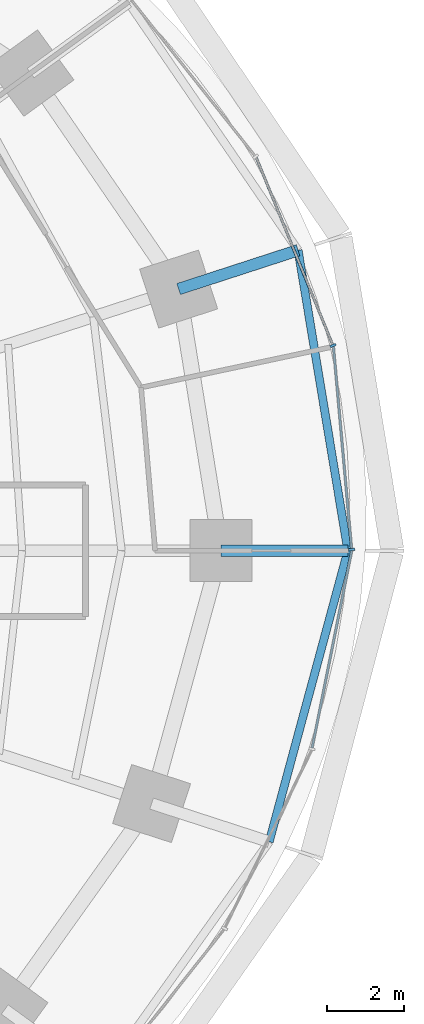
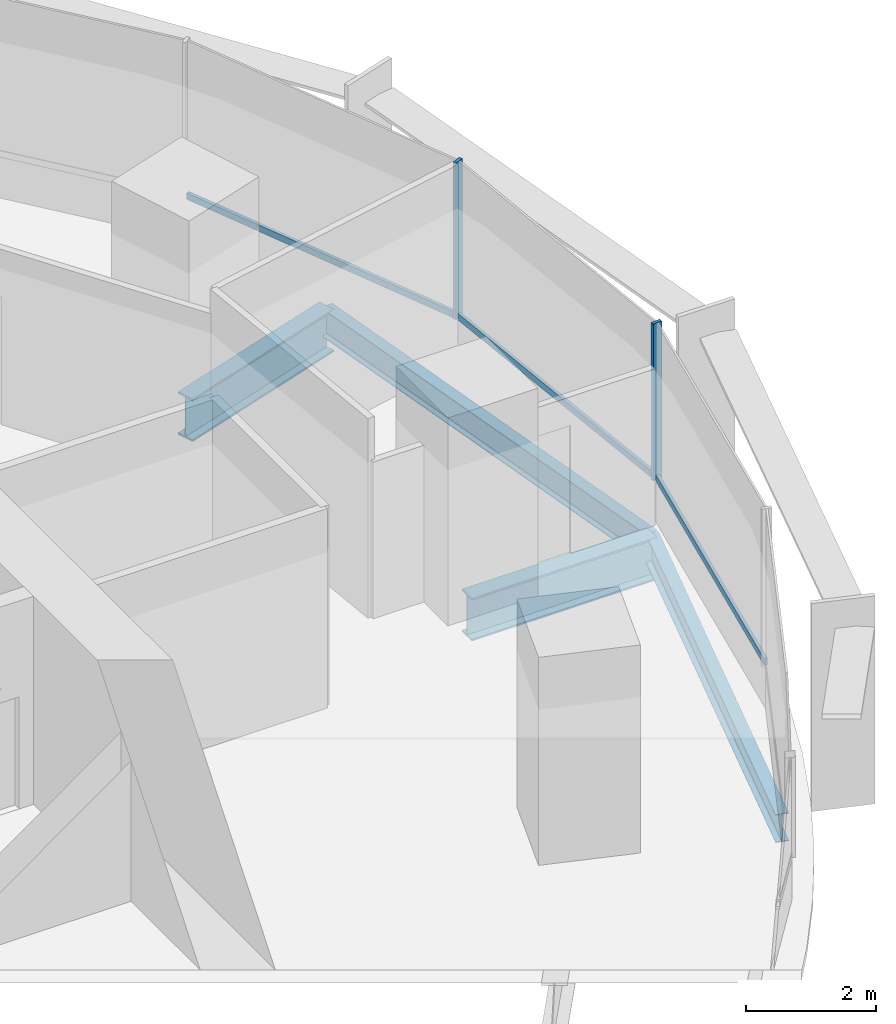
# One storey, part 6 of 14: 5 members, 4 beams, 2 elements without a shape of their own.
"""IFC4 building model written with IfcOpenShell, lengths in metres."""

from ifc_helpers import new_model, si_unit, direction, frame, origin, origin_2d, place, context, subcontext, project, spatial, rectangle, i_section, extrude, material, material_profile, profile_set, type_object, element, aggregate, save


model = new_model("IFC4")

# Units and contexts
model_context = context("Model", 3, precision=1e-05, world=origin(), true_north=direction((0.0, 1.0)))
body_context = subcontext(model_context, "Body", "Model", "MODEL_VIEW")
ifc_project = project(units=[si_unit("LENGTHUNIT", "METRE"), si_unit("AREAUNIT", "SQUARE_METRE"), si_unit("VOLUMEUNIT", "CUBIC_METRE"), si_unit("PLANEANGLEUNIT", "RADIAN"), si_unit("MASSUNIT", "GRAM", prefix="KILO")], contexts=[model_context])

# Site, building, storey
site_placement = place(None, origin())
site = spatial("IfcSite", under=ifc_project, at=site_placement, CompositionType="ELEMENT")
building_placement = place(site_placement, origin())
building = spatial("IfcBuilding", under=site, at=building_placement, Name="Marramba Exchange Tower", CompositionType="ELEMENT")
storey_placement = place(building_placement, frame((0.0, 0.0, 104.10009765625)))
storey = spatial("IfcBuildingStorey", under=building, at=storey_placement, Name="L24", CompositionType="ELEMENT", Elevation=104.10009765625)

# Beams
ifc_material_1 = material(Name="Steel AS/NZS 3679.2 grade 300", Category="steel")
ifc_material_profile_1 = material_profile(ifc_material_1, i_section(OverallWidth=0.300048828125, OverallDepth=0.800048828125, WebThickness=0.013916015625, FlangeThickness=0.031982421875, at=origin_2d()), Name="800WB192")
ifc_profile_set_1 = profile_set([ifc_material_profile_1], Name="Steel AS/NZS 3679.2 grade 300")
beam_type_1 = type_object("IfcBeamType", Name="Cantilever girder 800WB192", PredefinedType="BEAM", material=ifc_profile_set_1)
beam_1_placement = place(storey_placement, frame((21.89990234375, 0.0, -0.56005859375), z_axis=(1.0, 0.0, 0.0), x_axis=(0.0, 1.0, 0.0)))
element("IfcBeam", 1, at=beam_1_placement, inside=storey, type_object=beam_type_1, Name="Cantilever girder L24 TC01", PredefinedType="BEAM", context=body_context, shape_type="SweptSolid", body=[
    extrude(i_section(OverallWidth=0.300048828125, OverallDepth=0.800048828125, WebThickness=0.013916015625, FlangeThickness=0.031982421875, at=origin_2d()), origin(), (0.0, 0.0, 1.0), 3.281982421875),
])
beam_2_placement = place(storey_placement, frame((20.808349609375, 6.760986328125, -0.56005859375), z_axis=(0.95105562578, 0.309019735087, 0.0), x_axis=(-0.309019735087, 0.95105562578, 0.0)))
element("IfcBeam", 2, at=beam_2_placement, inside=storey, type_object=beam_type_1, Name="Cantilever girder L24 TC02", PredefinedType="BEAM", context=body_context, shape_type="SweptSolid", body=[
    extrude(i_section(OverallWidth=0.300048828125, OverallDepth=0.800048828125, WebThickness=0.013916015625, FlangeThickness=0.031982421875, at=origin_2d()), origin(), (0.0, 0.0, 1.0), 3.24560546875),
])

# Curtain wall, members
ifc_material_2 = material(Name="Aluminium framing, bronze anodised", Category="aluminium")
curtain_wall_type = type_object("IfcCurtainWallType", Name="Office ribbon curtain wall", PredefinedType="USERDEFINED", material=ifc_material_2)
curtain_wall_1_placement = place(storey_placement, origin())
curtain_wall_1 = element("IfcCurtainWall", 3, at=curtain_wall_1_placement, inside=storey, type_object=curtain_wall_type, Name="Curtain wall CW4 L24 F01-F05", ObjectType="RIBBON CURTAIN WALL", PredefinedType="USERDEFINED")
ifc_material_3 = material(Name="Aluminium mullion, bronze anodised", Category="aluminium")
ifc_material_profile_2 = material_profile(ifc_material_3, rectangle(XDim=0.159912109375, YDim=0.06005859375, at=origin_2d()), Name="CW4 mullion 60x160")
ifc_profile_set_2 = profile_set([ifc_material_profile_2], Name="Aluminium mullion, bronze anodised")
member_type_1 = type_object("IfcMemberType", Name="Office ribbon curtain wall mullion", PredefinedType="MULLION", material=ifc_profile_set_2)
member_1_placement = place(storey_placement, frame((25.279296875, 0.02978515625, 0.7998046875), z_axis=(0.0, 0.0, 1.0), x_axis=(-0.995994646311, -0.089412887889, 0.0)))
member_1 = element("IfcMember", 4, at=member_1_placement, type_object=member_type_1, Name="CW4 mullion 1", PredefinedType="MULLION", context=body_context, shape_type="SweptSolid", body=[
    extrude(rectangle(XDim=0.159912109375, YDim=0.06005859375, at=origin_2d()), origin(), (0.0, 0.0, 1.0), 2.940185546875),
])
member_2_placement = place(storey_placement, frame((24.79736328125, 5.301025390625, 0.7998046875), z_axis=(0.0, 0.0, 1.0), x_axis=(-0.925878584668, -0.377821183171, 0.0)))
member_2 = element("IfcMember", 5, at=member_2_placement, type_object=member_type_1, Name="CW4 mullion 1", PredefinedType="MULLION", context=body_context, shape_type="SweptSolid", body=[
    extrude(rectangle(XDim=0.159912109375, YDim=0.06005859375, at=origin_2d()), origin(), (0.0, 0.0, 1.0), 2.940185546875),
])
ifc_material_4 = material(Name="Aluminium transom, bronze anodised", Category="aluminium")
ifc_material_profile_3 = material_profile(ifc_material_4, rectangle(XDim=0.06005859375, YDim=0.1201171875, at=origin_2d()), Name="CW4 transom 60x120")
ifc_profile_set_3 = profile_set([ifc_material_profile_3], Name="Aluminium transom, bronze anodised")
member_type_2 = type_object("IfcMemberType", Name="Office ribbon curtain wall transom", PredefinedType="USERDEFINED", material=ifc_profile_set_3)
member_3_placement = place(storey_placement, frame((25.276611328125, 0.059814453125, 0.829833984375), z_axis=(-0.089412838135, 0.995994650777, 0.0), x_axis=(-0.995994650777, -0.089412838135, 0.0)))
member_3 = element("IfcMember", 6, at=member_3_placement, type_object=member_type_2, Name="CW4 sill transom", ObjectType="TRANSOM", PredefinedType="USERDEFINED", context=body_context, shape_type="SweptSolid", body=[
    extrude(rectangle(XDim=0.06005859375, YDim=0.1201171875, at=origin_2d()), origin(), (0.0, 0.0, 1.0), 5.234375),
])
member_4_placement = place(storey_placement, frame((24.785888671875, 5.328857421875, 0.829833984375), z_axis=(-0.377838039034, 0.925871706155, 0.0), x_axis=(-0.925871706155, -0.377838039034, 0.0)))
member_4 = element("IfcMember", 7, at=member_4_placement, type_object=member_type_2, Name="CW4 sill transom", ObjectType="TRANSOM", PredefinedType="USERDEFINED", context=body_context, shape_type="SweptSolid", body=[
    extrude(rectangle(XDim=0.06005859375, YDim=0.1201171875, at=origin_2d()), origin(), (0.0, 0.0, 1.0), 5.2158203125),
])
aggregate(curtain_wall_1, [member_1, member_3, member_2, member_4])

# Curtain wall, member
curtain_wall_2_placement = place(storey_placement, origin())
curtain_wall_2 = element("IfcCurtainWall", 8, at=curtain_wall_2_placement, inside=storey, type_object=curtain_wall_type, Name="Curtain wall CW4 L24 F26-F30", ObjectType="RIBBON CURTAIN WALL", PredefinedType="USERDEFINED")
member_5_placement = place(storey_placement, frame((24.258056640625, -5.094970703125, 0.829833984375), z_axis=(0.197028520451, 0.980397757101, 0.0), x_axis=(-0.980397757101, 0.197028520451, 0.0)))
member_5 = element("IfcMember", 9, at=member_5_placement, type_object=member_type_2, Name="CW4 sill transom", ObjectType="TRANSOM", PredefinedType="USERDEFINED", context=body_context, shape_type="SweptSolid", body=[
    extrude(rectangle(XDim=0.06005859375, YDim=0.1201171875, at=origin_2d()), origin(), (0.0, 0.0, 1.0), 5.19677734375),
])
aggregate(curtain_wall_2, [member_5])

# Beams
ifc_material_5 = material(Name="Steel AS/NZS 3679.1 grade 300", Category="steel")
ifc_material_profile_4 = material_profile(ifc_material_5, i_section(OverallWidth=0.208984375, OverallDepth=0.528076171875, WebThickness=0.009521484375, FlangeThickness=0.01318359375, FilletRadius=0.013916015625, at=origin_2d()), Name="530UB82.0")
ifc_profile_set_4 = profile_set([ifc_material_profile_4], Name="Steel AS/NZS 3679.1 grade 300")
beam_type_2 = type_object("IfcBeamType", Name="Slab edge beam 530UB82.0", PredefinedType="SPANDREL", material=ifc_profile_set_4)
beam_3_placement = place(storey_placement, frame((25.181884765625, 0.0, -0.424072265625), z_axis=(-0.163518559175, 0.986540258076, 0.0), x_axis=(-0.986540258076, -0.163518559175, 0.0)))
element("IfcBeam", 10, at=beam_3_placement, inside=storey, type_object=beam_type_2, Name="Slab edge beam L24 TC01-TC02", PredefinedType="SPANDREL", context=body_context, shape_type="SweptSolid", body=[
    extrude(i_section(OverallWidth=0.208984375, OverallDepth=0.528076171875, WebThickness=0.009521484375, FlangeThickness=0.01318359375, FilletRadius=0.013916015625, at=origin_2d()), origin(), (0.0, 0.0, 1.0), 7.869873046875),
])
beam_4_placement = place(storey_placement, frame((23.148681640625, -7.521484375, -0.424072265625), z_axis=(0.260953221575, 0.965351446961, 0.0), x_axis=(-0.965351446961, 0.260953221575, 0.0)))
element("IfcBeam", 11, at=beam_4_placement, inside=storey, type_object=beam_type_2, Name="Slab edge beam L24 TC20-TC01", PredefinedType="SPANDREL", context=body_context, shape_type="SweptSolid", body=[
    extrude(i_section(OverallWidth=0.208984375, OverallDepth=0.528076171875, WebThickness=0.009521484375, FlangeThickness=0.01318359375, FilletRadius=0.013916015625, at=origin_2d()), origin(), (0.0, 0.0, 1.0), 7.79150390625),
])

save(model, "model.ifc")
